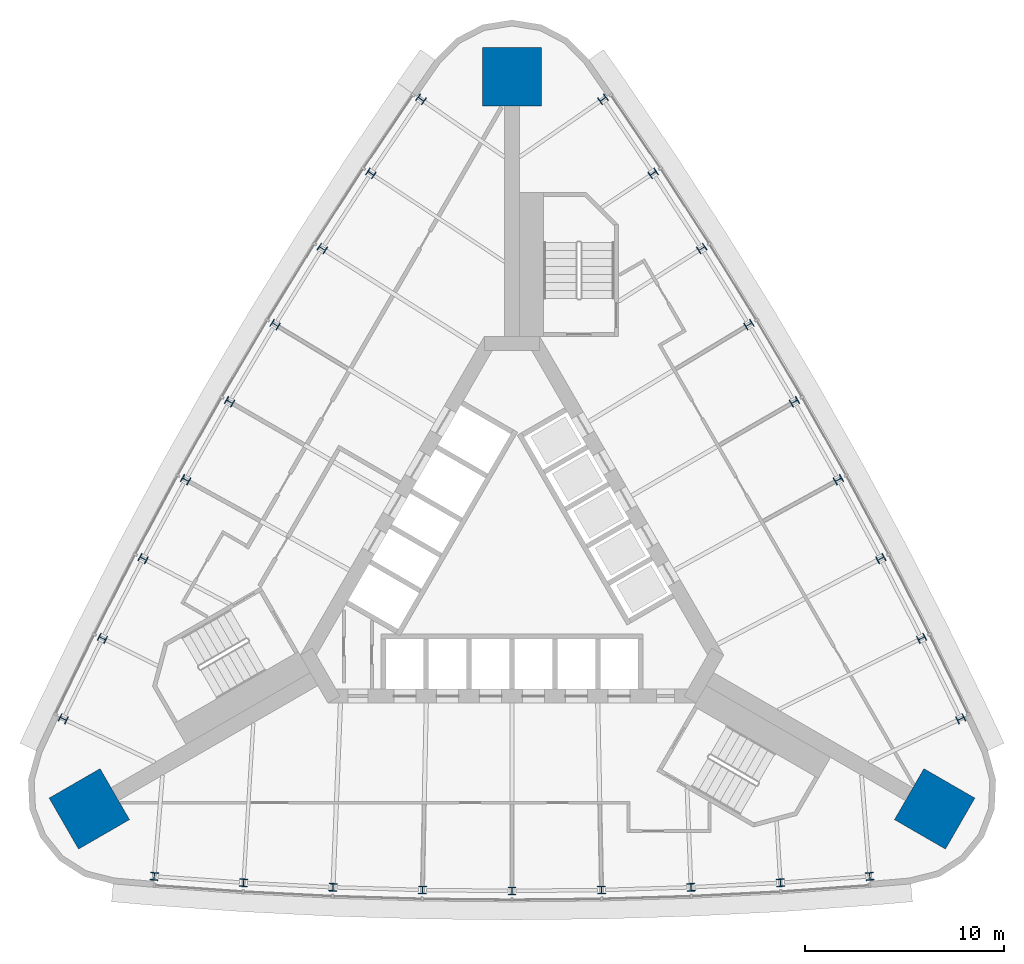
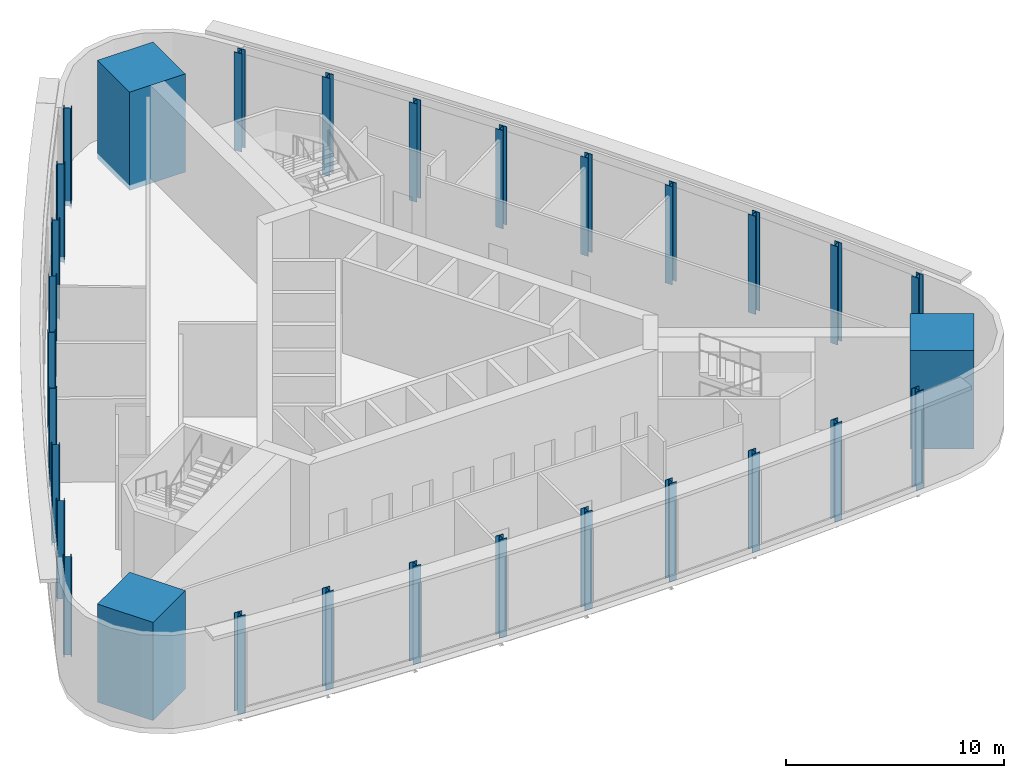
# One storey, part 1 of 11: 30 columns.
"""IFC4 building model written with IfcOpenShell, lengths in metres."""

from ifc_helpers import new_model, si_unit, direction, frame, origin, origin_2d, place, context, subcontext, project, spatial, rectangle, i_section, extrude, material, material_profile, profile_set, type_object, element, save


model = new_model("IFC4")

# Units and contexts
model_context = context("Model", 3, precision=1e-05, world=origin(), true_north=direction((0.0, 1.0)))
body_context = subcontext(model_context, "Body", "Model", "MODEL_VIEW")
ifc_project = project(units=[si_unit("LENGTHUNIT", "METRE"), si_unit("AREAUNIT", "SQUARE_METRE"), si_unit("VOLUMEUNIT", "CUBIC_METRE"), si_unit("PLANEANGLEUNIT", "RADIAN"), si_unit("MASSUNIT", "GRAM", prefix="KILO")], contexts=[model_context])

# Site, building, storey
site_placement = place(None, origin())
site = spatial("IfcSite", under=ifc_project, at=site_placement, CompositionType="ELEMENT")
building_placement = place(site_placement, origin())
building = spatial("IfcBuilding", under=site, at=building_placement, Name="Noor Cloister Tower", CompositionType="ELEMENT")
storey_placement = place(building_placement, frame((0.0, 0.0, 134.699951171875)))
storey = spatial("IfcBuildingStorey", under=building, at=storey_placement, Name="L34", CompositionType="ELEMENT", Elevation=134.699951171875)

# Columns
ifc_material_1 = material(Name="Steel ASTM A992 Gr 50", Category="steel")
ifc_material_profile_1 = material_profile(ifc_material_1, i_section(OverallWidth=0.39892578125, OverallDepth=0.385986328125, WebThickness=0.02099609375, FlangeThickness=0.033203125, FilletRadius=0.01513671875, at=origin_2d()), Name="W360x262")
ifc_profile_set_1 = profile_set([ifc_material_profile_1], Name="Steel ASTM A992 Gr 50")
column_type_1 = type_object("IfcColumnType", Name="Column W360x262", PredefinedType="COLUMN", material=ifc_profile_set_1)
for number, where, z_axis, x_axis, name in (
    (1, (-4.56005859375, 23.343017578125, -0.300048828125), (0.0, 0.0, 1.0), (-0.568579465539, -0.822628343401, 0.0), "Column NW 01 L34"),
    (2, (-7.07470703125, 19.624755859375, -0.300048828125), (0.0, 0.0, 1.0), (-0.551768440172, -0.83399735517, 0.0), "Column NW 02 L34"),
    (3, (-9.513427734375, 15.856201171875, -0.300048828125), (0.0, 0.0, 1.0), (-0.534730160694, -0.845022872616, 0.0), "Column NW 03 L34"),
    (4, (-11.875, 12.0390625, -0.300048828125), (0.0, 0.0, 1.0), (-0.517471644577, -0.855700354715, 0.0), "Column NW 04 L34"),
    (5, (-14.15869140625, 8.174560546875, -0.300048828125), (0.0, 0.0, 1.0), (-0.5, -0.866025403784, 0.0), "Column NW 05 L34"),
    (6, (-16.363525390625, 4.2646484375, -0.300048828125), (0.0, 0.0, 1.0), (-0.482322422922, -0.875993767299, 0.0), "Column NW 06 L34"),
    (7, (-18.488525390625, 0.310791015625, -0.300048828125), (0.0, 0.0, 1.0), (-0.464446194118, -0.885601339639, 0.0), "Column NW 07 L34"),
    (8, (-20.532958984375, -3.685546875, -0.300048828125), (0.0, 0.0, 1.0), (-0.446378676181, -0.89484416378, 0.0), "Column NW 08 L34"),
    (9, (-22.495849609375, -7.722412109375, -0.300048828125), (0.0, 0.0, 1.0), (-0.428127310489, -0.903718432928, 0.0), "Column NW 09 L34"),
    (10, (-17.935546875, -15.620849609375, -0.300048828125), (0.0, 0.0, 1.0), (0.996706776028, -0.081090089527, 0.0), "Column S 01 L34"),
    (11, (-13.458251953125, -15.939208984375, -0.300048828125), (0.0, 0.0, 1.0), (0.998147116352, -0.06084680861, 0.0), "Column S 02 L34"),
    (12, (-8.97509765625, -16.1669921875, -0.300048828125), (0.0, 0.0, 1.0), (0.999176354811, -0.040578467022, 0.0), "Column S 03 L34"),
    (13, (-4.488525390625, -16.3037109375, -0.300048828125), (0.0, 0.0, 1.0), (0.999794067499, -0.020293412584, 0.0), "Column S 04 L34"),
    (14, (0.0, -16.34912109375, -0.300048828125), (0.0, 0.0, 1.0), (1.0, 0.0, 0.0), "Column S 05 L34"),
    (15, (4.488525390625, -16.3037109375, -0.300048828125), (0.0, 0.0, 1.0), (0.999794067499, 0.020293412584, 0.0), "Column S 06 L34"),
    (16, (8.97509765625, -16.1669921875, -0.300048828125), (0.0, 0.0, 1.0), (0.999176354811, 0.040578467022, 0.0), "Column S 07 L34"),
    (17, (13.458251953125, -15.939208984375, -0.300048828125), (0.0, 0.0, 1.0), (0.998147116352, 0.06084680861, 0.0), "Column S 08 L34"),
    (18, (17.935546875, -15.620849609375, -0.300048828125), (0.0, 0.0, 1.0), (0.996706776028, 0.081090089527, 0.0), "Column S 09 L34"),
    (19, (22.495849609375, -7.722412109375, -0.300048828125), (0.0, 0.0, 1.0), (-0.428127310489, 0.903718432928, 0.0), "Column NE 01 L34"),
    (20, (20.532958984375, -3.685546875, -0.300048828125), (0.0, 0.0, 1.0), (-0.446378676181, 0.89484416378, 0.0), "Column NE 02 L34"),
    (21, (18.488525390625, 0.310791015625, -0.300048828125), (0.0, 0.0, 1.0), (-0.464446194118, 0.885601339639, 0.0), "Column NE 03 L34"),
    (22, (16.363525390625, 4.2646484375, -0.300048828125), (0.0, 0.0, 1.0), (-0.482322422922, 0.875993767299, 0.0), "Column NE 04 L34"),
    (23, (14.15869140625, 8.174560546875, -0.300048828125), (0.0, 0.0, 1.0), (-0.5, 0.866025403784, 0.0), "Column NE 05 L34"),
    (24, (11.875, 12.0390625, -0.300048828125), (0.0, 0.0, 1.0), (-0.517471644577, 0.855700354715, 0.0), "Column NE 06 L34"),
    (25, (9.513427734375, 15.856201171875, -0.300048828125), (0.0, 0.0, 1.0), (-0.534730160694, 0.845022872616, 0.0), "Column NE 07 L34"),
    (26, (7.07470703125, 19.624755859375, -0.300048828125), (0.0, 0.0, 1.0), (-0.551768440172, 0.83399735517, 0.0), "Column NE 08 L34"),
    (27, (4.56005859375, 23.343017578125, -0.300048828125), (0.0, 0.0, 1.0), (-0.568579465539, 0.822628343401, 0.0), "Column NE 09 L34"),
):
    element("IfcColumn", number, at=place(storey_placement, frame(where, z_axis=z_axis, x_axis=x_axis)), inside=storey, type_object=column_type_1, Name=name, PredefinedType="COLUMN", context=body_context, shape_type="SweptSolid", body=[
        extrude(i_section(OverallWidth=0.39892578125, OverallDepth=0.385986328125, WebThickness=0.02099609375, FlangeThickness=0.033203125, FilletRadius=0.01513671875, at=origin_2d()), origin(), (0.0, 0.0, 1.0), 5.5),
    ])
ifc_material_2 = material(Name="Concrete C70/85", Category="concrete")
ifc_material_profile_2 = material_profile(ifc_material_2, rectangle(XDim=2.949951171875, YDim=2.949951171875, at=origin_2d()), Name="RC 2950x2950")
ifc_profile_set_2 = profile_set([ifc_material_profile_2], Name="Concrete C70/85")
column_type_2 = type_object("IfcColumnType", Name="Corner pier 2950 x 2950 C70/85", PredefinedType="COLUMN", material=ifc_profile_set_2)
for number, where, z_axis, x_axis, name in (
    (28, (0.0, 24.469970703125, -0.300048828125), (0.0, 0.0, 1.0), (0.0, 1.0, 0.0), "Corner pier N L34"),
    (29, (-21.191650390625, -12.235107421875, -0.300048828125), (0.0, 0.0, 1.0), (-0.866025403784, -0.5, 0.0), "Corner pier SW L34"),
    (30, (21.191650390625, -12.235107421875, -0.300048828125), (0.0, 0.0, 1.0), (0.866025403784, -0.5, 0.0), "Corner pier SE L34"),
):
    element("IfcColumn", number, at=place(storey_placement, frame(where, z_axis=z_axis, x_axis=x_axis)), inside=storey, type_object=column_type_2, Name=name, PredefinedType="COLUMN", context=body_context, shape_type="SweptSolid", body=[
        extrude(rectangle(XDim=2.949951171875, YDim=2.949951171875, at=origin_2d()), origin(), (0.0, 0.0, 1.0), 5.5),
    ])

save(model, "model.ifc")
